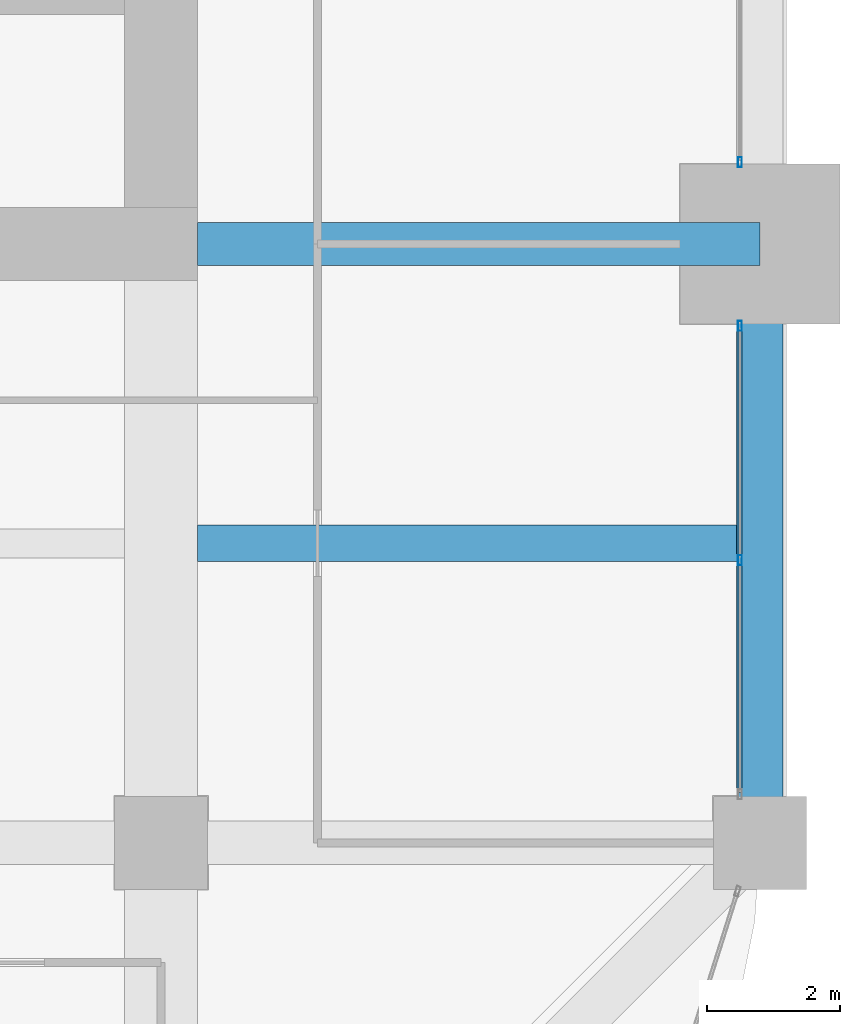
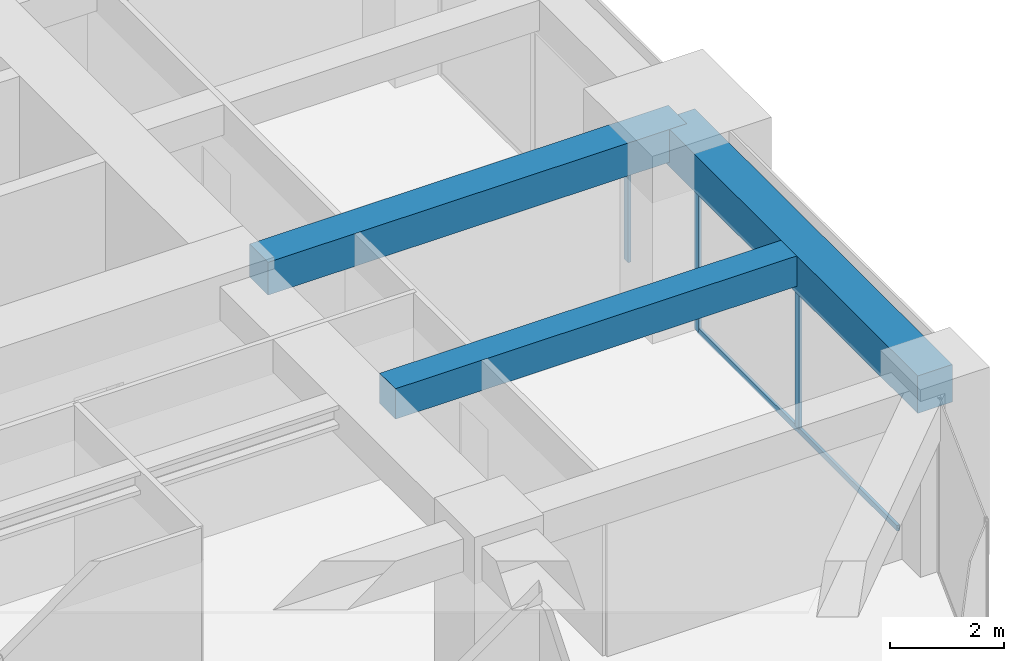
# One storey, part 17 of 34: 4 members, 3 beams, 2 elements without a shape of their own.
"""IFC4 building model written with IfcOpenShell, lengths in metres."""

from ifc_helpers import new_model, si_unit, direction, frame, origin, origin_2d, place, context, subcontext, project, spatial, rectangle, hollow_rectangle, extrude, material, material_profile, profile_set, type_object, element, aggregate, save


model = new_model("IFC4")

# Units and contexts
model_context = context("Model", 3, precision=1e-05, world=origin(), true_north=direction((0.0, 1.0)))
body_context = subcontext(model_context, "Body", "Model", "MODEL_VIEW")
ifc_project = project(units=[si_unit("LENGTHUNIT", "METRE"), si_unit("AREAUNIT", "SQUARE_METRE"), si_unit("VOLUMEUNIT", "CUBIC_METRE"), si_unit("PLANEANGLEUNIT", "RADIAN"), si_unit("MASSUNIT", "GRAM", prefix="KILO")], contexts=[model_context])

# Site, building, storey
site_placement = place(None, origin())
site = spatial("IfcSite", under=ifc_project, at=site_placement, CompositionType="ELEMENT")
building_placement = place(site_placement, origin())
building = spatial("IfcBuilding", under=site, at=building_placement, Name="Zorevar Civic Tower", CompositionType="ELEMENT")
storey_placement = place(building_placement, frame((0.0, 0.0, 214.199951171875)))
storey = spatial("IfcBuildingStorey", under=building, at=storey_placement, Name="L52", CompositionType="ELEMENT", Elevation=214.199951171875)

# Beams
ifc_material_1 = material(Name="Concrete C50/60", Category="concrete")
ifc_material_profile_1 = material_profile(ifc_material_1, rectangle(XDim=0.550048828125, YDim=0.64990234375, at=origin_2d()), Name="RC 550x650")
ifc_profile_set_1 = profile_set([ifc_material_profile_1], Name="Concrete C50/60")
beam_type_1 = type_object("IfcBeamType", Name="Beam RC 550x650", PredefinedType="BEAM", material=ifc_profile_set_1)
beam_1_placement = place(storey_placement, frame((45.550048828125, 13.5, 3.425048828125), z_axis=(1.0, 0.0, 0.0), x_axis=(0.0, 1.0, 0.0)))
element("IfcBeam", 1, at=beam_1_placement, inside=storey, type_object=beam_type_1, Name="Secondary beam L53", PredefinedType="BEAM", context=body_context, shape_type="SweptSolid", body=[
    extrude(rectangle(XDim=0.550048828125, YDim=0.64990234375, at=origin_2d()), origin(), (0.0, 0.0, 1.0), 8.099853515625),
])
ifc_material_2 = material(Name="Concrete C50/60", Category="concrete")
ifc_material_profile_2 = material_profile(ifc_material_2, rectangle(XDim=0.64990234375, YDim=0.699951171875, at=origin_2d()), Name="RC 650x700")
ifc_profile_set_2 = profile_set([ifc_material_profile_2], Name="Concrete C50/60")
beam_type_2 = type_object("IfcBeamType", Name="Beam RC 650x700", PredefinedType="BEAM", material=ifc_profile_set_2)
beam_2_placement = place(storey_placement, frame((45.550048828125, 18.0, 3.400146484375), z_axis=(1.0, 0.0, 0.0), x_axis=(0.0, 1.0, 0.0)))
element("IfcBeam", 2, at=beam_2_placement, inside=storey, type_object=beam_type_2, Name="Girder L53", PredefinedType="BEAM", context=body_context, shape_type="SweptSolid", body=[
    extrude(rectangle(XDim=0.64990234375, YDim=0.699951171875, at=origin_2d()), origin(), (0.0, 0.0, 1.0), 8.449951171875),
])

# Curtain wall, members
ifc_material_3 = material(Name="Dark grey solar-control glass in black aluminium frame", Category="aluminium")
curtain_wall_type = type_object("IfcCurtainWallType", Name="Curtain wall CW4 high zone", PredefinedType="NOTDEFINED", material=ifc_material_3)
curtain_wall_1_placement = place(storey_placement, origin())
curtain_wall_1 = element("IfcCurtainWall", 3, at=curtain_wall_1_placement, inside=storey, type_object=curtain_wall_type, Name="CW4 L52", PredefinedType="NOTDEFINED")
ifc_material_4 = material(Name="Aluminium, black anodised", Category="aluminium")
ifc_material_profile_3 = material_profile(ifc_material_4, hollow_rectangle(XDim=0.06005859375, YDim=0.14990234375, WallThickness=0.00390625, at=origin_2d()), Name="AL 150x60x4")
ifc_profile_set_3 = profile_set([ifc_material_profile_3], Name="Aluminium, black anodised")
member_type_1 = type_object("IfcMemberType", Name="CW4 mullion AL 150x60x4", PredefinedType="MULLION", material=ifc_profile_set_3)
member_1_placement = place(storey_placement, frame((53.699951171875, 13.25, 0.06005859375), z_axis=(0.0, 0.0, 1.0), x_axis=(-1.0, 0.0, 0.0)))
member_1 = element("IfcMember", 4, at=member_1_placement, type_object=member_type_1, Name="CW4 mullion 2", PredefinedType="MULLION", context=body_context, shape_type="SweptSolid", body=[
    extrude(hollow_rectangle(XDim=0.06005859375, YDim=0.14990234375, WallThickness=0.00390625, at=origin_2d()), origin(), (0.0, 0.0, 1.0), 2.889892578125),
])
member_2_placement = place(storey_placement, frame((53.699951171875, 16.77001953125, 0.0), z_axis=(0.0, 0.0, 1.0), x_axis=(-1.0, 0.0, 0.0)))
member_2 = element("IfcMember", 5, at=member_2_placement, type_object=member_type_1, Name="CW4 mullion 3", PredefinedType="MULLION", context=body_context, shape_type="SweptSolid", body=[
    extrude(hollow_rectangle(XDim=0.06005859375, YDim=0.14990234375, WallThickness=0.00390625, at=origin_2d()), origin(), (0.0, 0.0, 1.0), 2.949951171875),
])

# Curtain wall, member
curtain_wall_2_placement = place(storey_placement, origin())
curtain_wall_2 = element("IfcCurtainWall", 6, at=curtain_wall_2_placement, inside=storey, type_object=curtain_wall_type, Name="CW4 L52", PredefinedType="NOTDEFINED")
member_3_placement = place(storey_placement, frame((53.699951171875, 19.22998046875, 0.0), z_axis=(0.0, 0.0, 1.0), x_axis=(-1.0, 0.0, 0.0)))
member_3 = element("IfcMember", 7, at=member_3_placement, type_object=member_type_1, Name="CW4 mullion 1", PredefinedType="MULLION", context=body_context, shape_type="SweptSolid", body=[
    extrude(hollow_rectangle(XDim=0.06005859375, YDim=0.14990234375, WallThickness=0.00390625, at=origin_2d()), origin(), (0.0, 0.0, 1.0), 2.949951171875),
])
aggregate(curtain_wall_2, [member_3])

# Member
ifc_material_5 = material(Name="Aluminium, black anodised", Category="aluminium")
ifc_material_profile_4 = material_profile(ifc_material_5, hollow_rectangle(XDim=0.06005859375, YDim=0.1201171875, WallThickness=0.0029296875, at=origin_2d()), Name="AL 120x60x3")
ifc_profile_set_4 = profile_set([ifc_material_profile_4], Name="Aluminium, black anodised")
member_type_2 = type_object("IfcMemberType", Name="CW4 transom AL 120x60x3", PredefinedType="USERDEFINED", material=ifc_profile_set_4)
member_4_placement = place(storey_placement, frame((53.699951171875, 9.760009765625, 0.030029296875), z_axis=(0.0, 1.0, 0.0), x_axis=(-1.0, 0.0, 0.0)))
member_4 = element("IfcMember", 8, at=member_4_placement, type_object=member_type_2, Name="CW4 sill transom", ObjectType="TRANSOM", PredefinedType="USERDEFINED", context=body_context, shape_type="SweptSolid", body=[
    extrude(hollow_rectangle(XDim=0.06005859375, YDim=0.1201171875, WallThickness=0.0029296875, at=origin_2d()), origin(), (0.0, 0.0, 1.0), 6.97998046875),
])

aggregate(curtain_wall_1, [member_1, member_2, member_4])

# Beam
ifc_material_6 = material(Name="Concrete C50/60", Category="concrete")
ifc_material_profile_5 = material_profile(ifc_material_6, rectangle(XDim=0.699951171875, YDim=0.800048828125, at=origin_2d()), Name="RC 700x800")
ifc_profile_set_5 = profile_set([ifc_material_profile_5], Name="Concrete C50/60")
beam_type_3 = type_object("IfcBeamType", Name="Edge beam RC 700x800", PredefinedType="SPANDREL", material=ifc_profile_set_5)
beam_3_placement = place(storey_placement, frame((54.0, 9.0, 3.35009765625), z_axis=(0.0, 1.0, 0.0), x_axis=(-1.0, 0.0, 0.0)))
element("IfcBeam", 9, at=beam_3_placement, inside=storey, type_object=beam_type_3, Name="Edge beam L53", PredefinedType="SPANDREL", context=body_context, shape_type="SweptSolid", body=[
    extrude(rectangle(XDim=0.699951171875, YDim=0.800048828125, at=origin_2d()), origin(), (0.0, 0.0, 1.0), 9.0),
])

save(model, "model.ifc")
